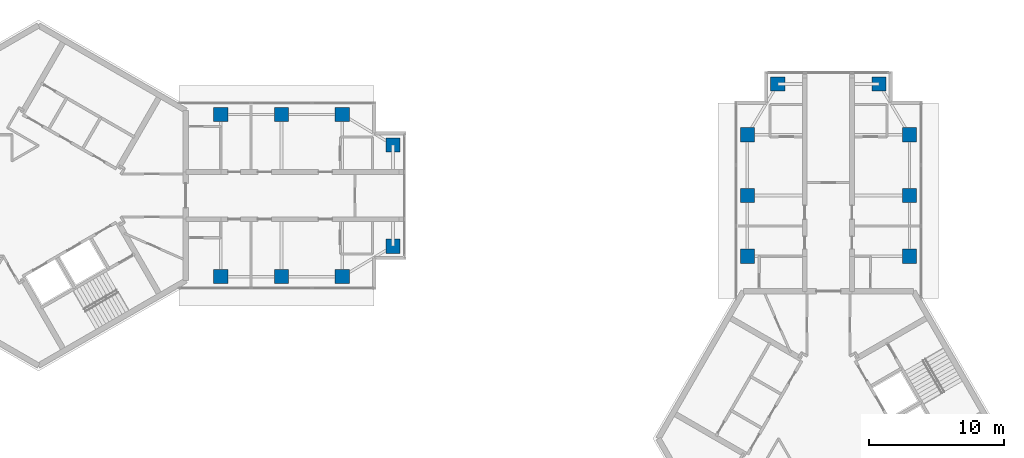
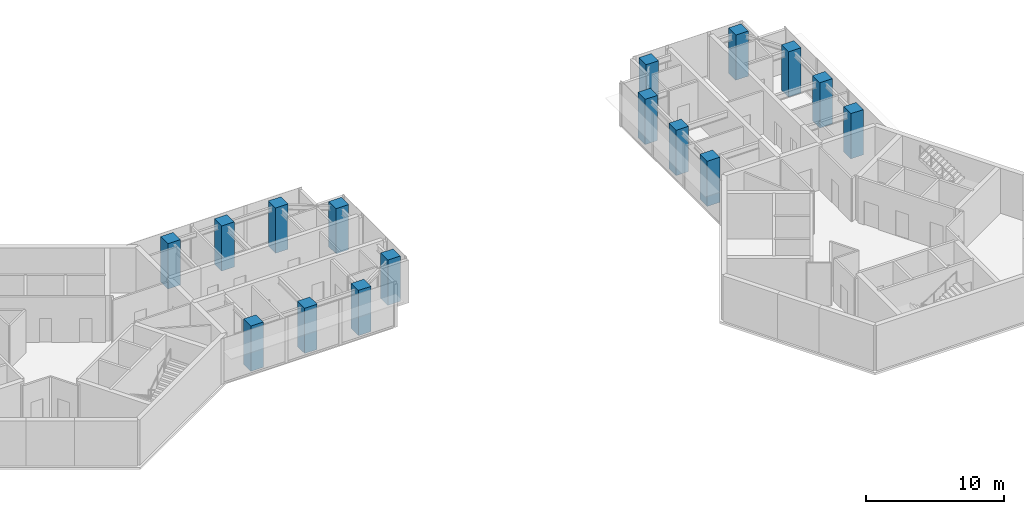
# One storey, part 1 of 11: 16 columns.
"""IFC4 building model written with IfcOpenShell, lengths in metres."""

from ifc_helpers import new_model, si_unit, direction, frame, origin, origin_2d, place, context, subcontext, project, spatial, rectangle, extrude, material, material_profile, profile_set, type_object, element, save


model = new_model("IFC4")

# Units and contexts
model_context = context("Model", 3, precision=1e-05, world=origin(), true_north=direction((0.0, 1.0)))
body_context = subcontext(model_context, "Body", "Model", "MODEL_VIEW")
ifc_project = project(units=[si_unit("LENGTHUNIT", "METRE"), si_unit("AREAUNIT", "SQUARE_METRE"), si_unit("VOLUMEUNIT", "CUBIC_METRE"), si_unit("PLANEANGLEUNIT", "RADIAN"), si_unit("MASSUNIT", "GRAM", prefix="KILO")], contexts=[model_context])

# Site, building, storey
site_placement = place(None, origin())
site = spatial("IfcSite", under=ifc_project, at=site_placement, CompositionType="ELEMENT")
building_placement = place(site_placement, origin())
building = spatial("IfcBuilding", under=site, at=building_placement, Name="Upepo Twin Towers", CompositionType="ELEMENT")
storey_placement = place(building_placement, frame((0.0, 0.0, 251.5)))
storey = spatial("IfcBuildingStorey", under=building, at=storey_placement, Name="L61", CompositionType="ELEMENT", Elevation=251.5)

# Columns
ifc_material = material(Name="Concrete C60/75", Category="concrete")
ifc_material_profile = material_profile(ifc_material, rectangle(XDim=1.050048828125, YDim=1.050048828125, at=origin_2d()), Name="RC 1050x1050")
ifc_profile_set = profile_set([ifc_material_profile], Name="Concrete C60/75")
column_type = type_object("IfcColumnType", Name="Tower column RC 1050x1050", PredefinedType="COLUMN", material=ifc_profile_set)
for number, where, z_axis, x_axis, name in (
    (1, (13.5, 6.0, 0.0), (0.0, 0.0, 1.0), (1.0, 0.0, 0.0), "T1 column AL135"),
    (2, (13.5, -6.0, 0.0), (0.0, 0.0, 1.0), (1.0, 0.0, 0.0), "T1 column AR135"),
    (3, (18.0, 6.0, 0.0), (0.0, 0.0, 1.0), (1.0, 0.0, 0.0), "T1 column AL180"),
    (4, (18.0, -6.0, 0.0), (0.0, 0.0, 1.0), (1.0, 0.0, 0.0), "T1 column AR180"),
    (5, (22.5, 6.0, 0.0), (0.0, 0.0, 1.0), (1.0, 0.0, 0.0), "T1 column AL225"),
    (6, (22.5, -6.0, 0.0), (0.0, 0.0, 1.0), (1.0, 0.0, 0.0), "T1 column AR225"),
    (7, (26.25, 3.75, 0.0), (0.0, 0.0, 1.0), (1.0, 0.0, 0.0), "T1 column ALN"),
    (8, (26.25, -3.75, 0.0), (0.0, 0.0, 1.0), (1.0, 0.0, 0.0), "T1 column ARN"),
    (9, (52.5, -4.5, 0.0), (0.0, 0.0, 1.0), (1.0, 0.0, 0.0), "T2 column AL135"),
    (10, (64.5, -4.5, 0.0), (0.0, 0.0, 1.0), (1.0, 0.0, 0.0), "T2 column AR135"),
    (11, (52.5, 0.0, 0.0), (0.0, 0.0, 1.0), (1.0, 0.0, 0.0), "T2 column AL180"),
    (12, (64.5, 0.0, 0.0), (0.0, 0.0, 1.0), (1.0, 0.0, 0.0), "T2 column AR180"),
    (13, (52.5, 4.5, 0.0), (0.0, 0.0, 1.0), (1.0, 0.0, 0.0), "T2 column AL225"),
    (14, (64.5, 4.5, 0.0), (0.0, 0.0, 1.0), (1.0, 0.0, 0.0), "T2 column AR225"),
    (15, (54.75, 8.25, 0.0), (0.0, 0.0, 1.0), (1.0, 0.0, 0.0), "T2 column ALN"),
    (16, (62.25, 8.25, 0.0), (0.0, 0.0, 1.0), (1.0, 0.0, 0.0), "T2 column ARN"),
):
    element("IfcColumn", number, at=place(storey_placement, frame(where, z_axis=z_axis, x_axis=x_axis)), inside=storey, type_object=column_type, Name=name, PredefinedType="COLUMN", context=body_context, shape_type="SweptSolid", body=[
        extrude(rectangle(XDim=1.050048828125, YDim=1.050048828125, at=origin_2d()), origin(), (0.0, 0.0, 1.0), 4.0),
    ])

save(model, "model.ifc")
